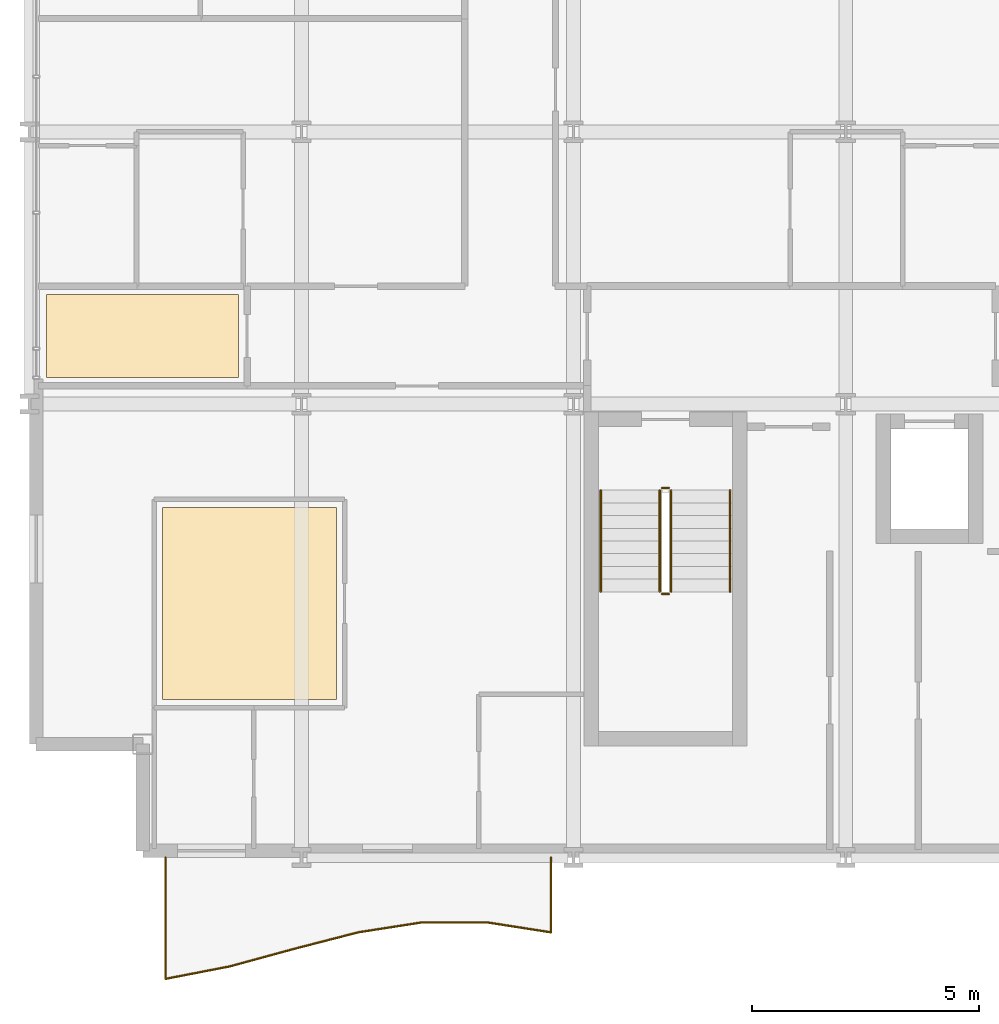
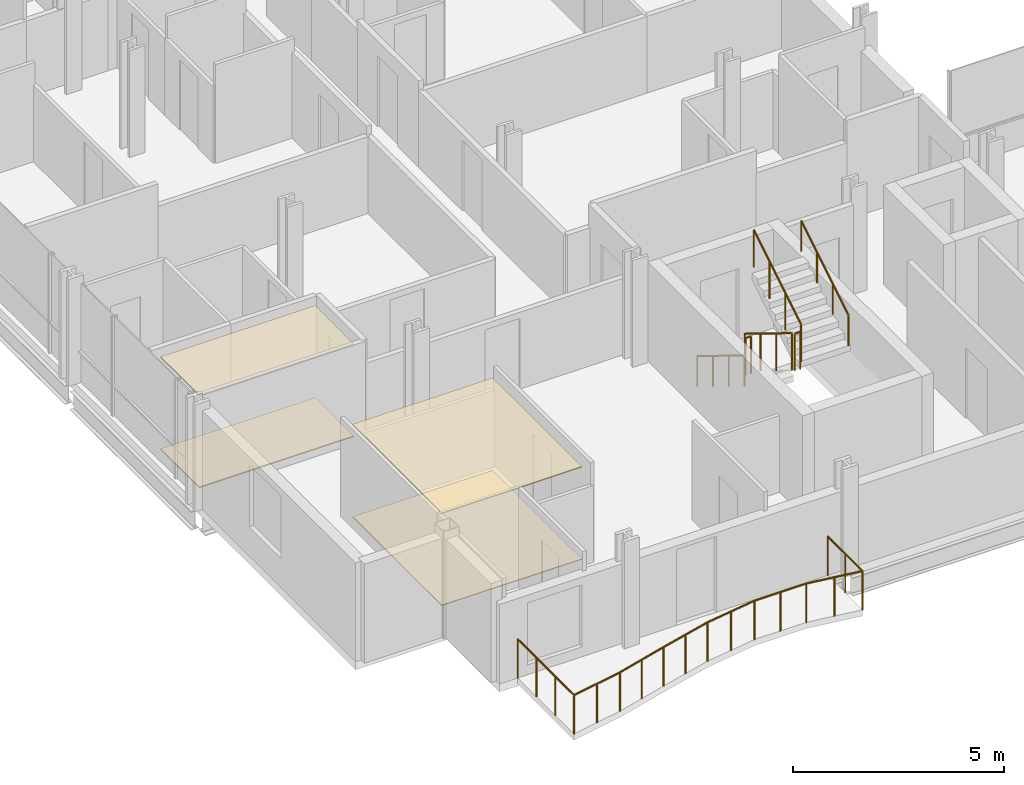
# One storey, part 38 of 41: 7 railings, 4 coverings.
"""IFC4 building model written with IfcOpenShell, lengths in metres."""

import ifcopenshell
import ifcopenshell.guid

model = None  # the IFC model being written
_history = None  # IfcOwnerHistory: only IFC2X3 demands one
_inside = {}  # id of a spatial element -> (the spatial element, [elements in it])
_under = {}  # id of a project, library or spatial element -> (it, [spatial elements below it])
_declared = {}  # id of a project -> (the project, [libraries it declares])
_typed = {}  # id of a type object -> (the type object, [elements of that type])
_made_of = {}  # id of a material, layer set ... -> (it, [elements and type objects made of it])


def new_model(schema):
    """Start an empty IFC model of exactly this schema.

    Asked for "IFC4X3", IfcOpenShell would pick the latest addendum, in which some entities
    have other attributes; the version numbers below select the first issue.
    IFC2X3 requires an IfcOwnerHistory on every rooted entity: one is made here for all.
    """
    global model, _history
    if schema == "IFC4X3":
        model = ifcopenshell.file(schema_version=(4, 3, 0, 0))
    else:
        model = ifcopenshell.file(schema=schema)
    _inside.clear()
    _under.clear()
    _declared.clear()
    _typed.clear()
    _made_of.clear()
    _history = None
    if model.schema == "IFC2X3":
        org = make("IfcOrganization", Name="unknown")
        user = make(
            "IfcPersonAndOrganization",
            ThePerson=make("IfcPerson", FamilyName="unknown"),
            TheOrganization=org,
        )
        app = make(
            "IfcApplication",
            ApplicationDeveloper=org,
            Version="unknown",
            ApplicationFullName="unknown",
            ApplicationIdentifier="unknown",
        )
        _history = make(
            "IfcOwnerHistory",
            OwningUser=user,
            OwningApplication=app,
            ChangeAction="ADDED",
            CreationDate=0,
        )
    return model


def make(cls, **values):
    """One entity of the class cls with the attributes given. An attribute that is None is left unset."""
    return model.create_entity(
        cls, **{name: value for name, value in values.items() if value is not None}
    )


def rooted(cls, **values):
    """An entity with a GlobalId (a new one), such as an element, a storey or a relation."""
    return make(cls, GlobalId=ifcopenshell.guid.new(), OwnerHistory=_history, **values)


def si_unit(unit_type, name, prefix=None):
    """IfcSIUnit, for example si_unit("LENGTHUNIT", "METRE", prefix="MILLI")."""
    return make("IfcSIUnit", UnitType=unit_type, Prefix=prefix, Name=name)


def assignment(units):
    """IfcUnitAssignment: the units of a project."""
    return None if units is None else make("IfcUnitAssignment", Units=units)


def point(xyz):
    """IfcCartesianPoint."""
    return None if xyz is None else make("IfcCartesianPoint", Coordinates=xyz)


def direction(xyz):
    """IfcDirection."""
    return None if xyz is None else make("IfcDirection", DirectionRatios=xyz)


def frame(location, z_axis=None, x_axis=None):
    """IfcAxis2Placement3D, a coordinate frame: its origin and axes. An axis left out is left unset."""
    return make(
        "IfcAxis2Placement3D",
        Location=point(location),
        Axis=direction(z_axis),
        RefDirection=direction(x_axis),
    )


def frame_2d(location, x_axis=None):
    """IfcAxis2Placement2D, a coordinate frame in the plane: its origin and x axis."""
    return make(
        "IfcAxis2Placement2D", Location=point(location), RefDirection=direction(x_axis)
    )


def origin():
    """The frame at (0, 0, 0) with its axes left unset."""
    return frame((0.0, 0.0, 0.0))


def origin_2d():
    """The frame at (0, 0) in the plane with its x axis left unset."""
    return frame_2d((0.0, 0.0))


def place(relative_to, where):
    """IfcLocalPlacement: puts the frame where relative to a parent placement (None: the world)."""
    return make(
        "IfcLocalPlacement", PlacementRelTo=relative_to, RelativePlacement=where
    )


def context(
    kind, dimensions, precision=None, world=None, true_north=None, identifier=None
):
    """IfcGeometricRepresentationContext, for example the 3D "Model" context."""
    return make(
        "IfcGeometricRepresentationContext",
        ContextIdentifier=identifier,
        ContextType=kind,
        CoordinateSpaceDimension=dimensions,
        Precision=precision,
        WorldCoordinateSystem=world,
        TrueNorth=true_north,
    )


def subcontext(parent, identifier, kind, view, scale=None):
    """IfcGeometricRepresentationSubContext, for example "Body" below "Model"."""
    return make(
        "IfcGeometricRepresentationSubContext",
        ContextIdentifier=identifier,
        ContextType=kind,
        ParentContext=parent,
        TargetScale=scale,
        TargetView=view,
    )


def project(units=None, contexts=None):
    """IfcProject with its units and contexts."""
    return rooted(
        "IfcProject",
        Name="project",
        RepresentationContexts=contexts,
        UnitsInContext=assignment(units),
    )


def spatial(cls, under=None, at=None, **own):
    """A site, building, storey or space (cls), placed at a placement, below another one or the project."""
    s = rooted(cls, ObjectPlacement=at, **own)
    if under is not None:
        _under.setdefault(under.id(), (under, []))[1].append(s)
    return s


def polyline(points):
    """IfcPolyline through the points."""
    return make("IfcPolyline", Points=[point(p) for p in points])


def profile(cls, at=None, kind="AREA", **sizes):
    """A parametric profile (cls). Its sizes go by their IFC names, for example OverallWidth=200.0."""
    return make(cls, ProfileType=kind, Position=at, **sizes)


def circle(**sizes):
    """IfcCircleProfileDef."""
    return profile("IfcCircleProfileDef", **sizes)


def outline(outer, holes=None, kind="AREA"):
    """IfcArbitraryClosedProfileDef: a profile drawn as a closed curve; with holes, ...WithVoids."""
    if holes is None:
        return make("IfcArbitraryClosedProfileDef", ProfileType=kind, OuterCurve=outer)
    return make(
        "IfcArbitraryProfileDefWithVoids",
        ProfileType=kind,
        OuterCurve=outer,
        InnerCurves=holes,
    )


def extrude(swept, where, along, depth):
    """IfcExtrudedAreaSolid: the profile swept, set in the frame where, extruded along a direction by depth."""
    return make(
        "IfcExtrudedAreaSolid",
        SweptArea=swept,
        Position=where,
        ExtrudedDirection=direction(along),
        Depth=depth,
    )


def shape(context_of_items, identifier, shape_type, items):
    """IfcShapeRepresentation: the items that make up one representation, for example the "Body"."""
    return make(
        "IfcShapeRepresentation",
        ContextOfItems=context_of_items,
        RepresentationIdentifier=identifier,
        RepresentationType=shape_type,
        Items=items,
    )


def material(Name=None, Category=None):
    """IfcMaterial."""
    return make("IfcMaterial", Name=Name, Category=Category)


def layer(
    of_material, thickness, ventilated=None, Name=None, Category=None, Priority=None
):
    """IfcMaterialLayer: one layer of a wall or slab, of a material (None: an air gap)."""
    return make(
        "IfcMaterialLayer",
        Material=of_material,
        LayerThickness=thickness,
        IsVentilated=ventilated,
        Name=Name,
        Category=Category,
        Priority=Priority,
    )


def layer_set(layers, Name=None):
    """IfcMaterialLayerSet."""
    return make("IfcMaterialLayerSet", MaterialLayers=layers, LayerSetName=Name)


def made_of(thing, what):
    """Note that an element or type object is made of a material, layer set ...; save() writes the relation."""
    if what is not None:
        _made_of.setdefault(what.id(), (what, []))[1].append(thing)
    return thing


def type_object(cls, material=None, **own):
    """A type object (cls), such as IfcWallType, which elements share."""
    return made_of(rooted(cls, **own), material)


def element(
    cls,
    number,
    at=None,
    inside=None,
    cuts=None,
    type_object=None,
    material=None,
    context=None,
    identifier="Body",
    shape_type=None,
    held_by="IfcProductDefinitionShape",
    body=None,
    shapes=None,
    **own,
):
    """One element of the class cls, such as IfcWall. Its Tag is "e" and its number.

    at: its placement. inside: the storey or other place that contains it. cuts: it is an
    opening in that element (IfcRelVoidsElement). A single representation is given by context,
    identifier, shape_type and body (its items); several are given by shapes. held_by: the class
    of the entity that holds the representations. save() writes the other relations.
    """
    e = rooted(cls, Tag="e%d" % number, ObjectPlacement=at, **own)
    if body is not None:
        shapes = [shape(context, identifier, shape_type, body)]
    if shapes is not None:
        e.Representation = make(held_by, Representations=shapes)
    if inside is not None:
        _inside.setdefault(inside.id(), (inside, []))[1].append(e)
    if cuts is not None:
        rooted(
            "IfcRelVoidsElement", RelatingBuildingElement=cuts, RelatedOpeningElement=e
        )
    if type_object is not None:
        _typed.setdefault(type_object.id(), (type_object, []))[1].append(e)
    return made_of(e, material)


def aggregate(whole, parts):
    """IfcRelAggregates: a whole, such as a stair, and the parts it consists of."""
    return rooted("IfcRelAggregates", RelatingObject=whole, RelatedObjects=parts)


def save(model, path):
    """Write the relations noted so far, then the file.

    IfcRelAggregates (storeys below a building ...), IfcRelContainedInSpatialStructure (elements
    in a storey), IfcRelDefinesByType, IfcRelAssociatesMaterial and IfcRelDeclares: one each for
    every whole, place, type object, material and project.
    """
    for whole, parts in _under.values():
        aggregate(whole, parts)
    for where, things in _inside.values():
        rooted(
            "IfcRelContainedInSpatialStructure",
            RelatedElements=things,
            RelatingStructure=where,
        )
    for kind, things in _typed.values():
        rooted("IfcRelDefinesByType", RelatedObjects=things, RelatingType=kind)
    for what, things in _made_of.values():
        rooted("IfcRelAssociatesMaterial", RelatedObjects=things, RelatingMaterial=what)
    for by, libraries in _declared.values():
        rooted("IfcRelDeclares", RelatingContext=by, RelatedDefinitions=libraries)
    model.write(path)


model = new_model("IFC4")

# Units and contexts
model_context = context("Model", 3, precision=1e-05, world=origin(), true_north=direction((0.0, 1.0)))
body_context = subcontext(model_context, "Body", "Model", "MODEL_VIEW")
ifc_project = project(units=[si_unit("LENGTHUNIT", "METRE"), si_unit("AREAUNIT", "SQUARE_METRE"), si_unit("VOLUMEUNIT", "CUBIC_METRE"), si_unit("PLANEANGLEUNIT", "RADIAN"), si_unit("MASSUNIT", "GRAM", prefix="KILO")], contexts=[model_context])

# Site, building, storey
site_placement = place(None, origin())
site = spatial("IfcSite", under=ifc_project, at=site_placement, CompositionType="ELEMENT")
building_placement = place(site_placement, origin())
building = spatial("IfcBuilding", under=site, at=building_placement, Name="Brevholm Reach", CompositionType="ELEMENT")
storey_placement = place(building_placement, frame((0.0, 0.0, 49.699951171875)))
storey = spatial("IfcBuildingStorey", under=building, at=storey_placement, Name="L13", CompositionType="ELEMENT", Elevation=49.699951171875)

# Coverings
ifc_material_1 = material(Name="Moisture-Resistant Skimmed Gypsum Plasterboard Ceiling", Category="gypsum")
ifc_layer_1 = layer(ifc_material_1, 0.030029296875)
ifc_layer_set_1 = layer_set([ifc_layer_1], Name="Moisture-Resistant Skimmed Gypsum Plasterboard Ceiling")
covering_type_1 = type_object("IfcCoveringType", Name="COV-CLG-GYP", PredefinedType="CEILING", material=ifc_layer_set_1)
covering_1_placement = place(storey_placement, frame((0.0, 0.0, 2.670166015625)))
element("IfcCovering", 1, at=covering_1_placement, inside=storey, type_object=covering_type_1, Name="L13 Suspended Ceiling L13-27", PredefinedType="CEILING", context=body_context, shape_type="SweptSolid", body=[
    extrude(outline(polyline([(2.929931640625, 7.719970703125), (6.77001953125, 7.719970703125), (6.77001953125, 3.47998046875), (4.984375, 3.47998046875), (4.982177734375, 3.48046875), (4.964599609375, 3.483154296875), (4.947021484375, 3.48388671875), (2.929931640625, 3.48388671875), (2.929931640625, 7.719970703125)])), origin(), (0.0, 0.0, 1.0), 0.02978515625),
])
covering_2_placement = place(storey_placement, frame((0.0, 0.0, 2.670166015625)))
element("IfcCovering", 2, at=covering_2_placement, inside=storey, type_object=covering_type_1, Name="L13 Suspended Ceiling L13-29", PredefinedType="CEILING", context=body_context, shape_type="SweptSolid", body=[
    extrude(outline(polyline([(0.3798828125, 12.419921875), (4.615966796875, 12.419921875), (4.615966796875, 10.583984375), (0.3798828125, 10.583984375), (0.3798828125, 12.419921875)])), origin(), (0.0, 0.0, 1.0), 0.02978515625),
])
ifc_material_2 = material(Name="Engineered European Oak Acoustic Plank Flooring", Category="timber")
ifc_layer_2 = layer(ifc_material_2, 0.02197265625)
ifc_layer_set_2 = layer_set([ifc_layer_2], Name="Engineered European Oak Acoustic Plank Flooring")
covering_type_2 = type_object("IfcCoveringType", Name="COV-FLR-OAK", PredefinedType="FLOORING", material=ifc_layer_set_2)
covering_3_placement = place(storey_placement, origin())
element("IfcCovering", 3, at=covering_3_placement, inside=storey, type_object=covering_type_2, Name="L13 Floor Finish L13-27", PredefinedType="FLOORING", context=body_context, shape_type="SweptSolid", body=[
    extrude(outline(polyline([(2.929931640625, 7.719970703125), (6.77001953125, 7.719970703125), (6.77001953125, 3.47998046875), (4.984375, 3.47998046875), (4.982177734375, 3.48046875), (4.964599609375, 3.483154296875), (4.947021484375, 3.48388671875), (2.929931640625, 3.48388671875), (2.929931640625, 7.719970703125)])), origin(), (0.0, 0.0, 1.0), 0.02197265625),
])
ifc_material_3 = material(Name="Honed Portland-Aggregate Resin Terrazzo Flooring", Category="concrete")
ifc_layer_3 = layer(ifc_material_3, 0.031982421875)
ifc_layer_set_3 = layer_set([ifc_layer_3], Name="Honed Portland-Aggregate Resin Terrazzo Flooring")
covering_type_3 = type_object("IfcCoveringType", Name="COV-FLR-TRZ", PredefinedType="FLOORING", material=ifc_layer_set_3)
covering_4_placement = place(storey_placement, origin())
element("IfcCovering", 4, at=covering_4_placement, inside=storey, type_object=covering_type_3, Name="L13 Floor Finish L13-29", PredefinedType="FLOORING", context=body_context, shape_type="SweptSolid", body=[
    extrude(outline(polyline([(0.3798828125, 12.419921875), (4.615966796875, 12.419921875), (4.615966796875, 10.583984375), (0.3798828125, 10.583984375), (0.3798828125, 12.419921875)])), origin(), (0.0, 0.0, 1.0), 0.031982421875),
])

# Railings
ifc_material_4 = material(Name="Brushed Stainless Steel EN 1.4401 and Laminated Glass", Category="steel")
railing_type_1 = type_object("IfcRailingType", Name="RAL-BALC-1150", PredefinedType="BALUSTRADE", material=ifc_material_4)
railing_1_placement = place(storey_placement, frame((3.0, 0.0, 0.0)))
element("IfcRailing", 5, at=railing_1_placement, inside=storey, type_object=railing_type_1, Name="L13 Guard Balustrade RAL-L13-BAL-SW", PredefinedType="BALUSTRADE", context=body_context, shape_type="SweptSolid", body=[
    extrude(circle(Radius=0.02392578125, at=origin_2d()), frame((0.0, 0.0, 1.1259765625), z_axis=(0.0, -1.0, 0.0), x_axis=(1.0, 0.0, 0.0)), (0.0, 0.0, 1.0), 2.676513671875),
    extrude(circle(Radius=0.02392578125, at=origin_2d()), frame((0.0, -2.676513671875, 1.1259765625), z_axis=(0.98175336952, 0.190158674365, 0.0), x_axis=(-0.190158674365, 0.98175336952, 0.0)), (0.0, 0.0, 1.0), 1.443115234375),
    extrude(circle(Radius=0.02392578125, at=origin_2d()), frame((1.416748046875, -2.402099609375, 1.1259765625), z_axis=(0.964821360478, 0.262906337628, 0.0), x_axis=(-0.262906337628, 0.964821360478, 0.0)), (0.0, 0.0, 1.0), 1.46826171875),
    extrude(circle(Radius=0.02392578125, at=origin_2d()), frame((2.833251953125, -2.01611328125, 1.1259765625), z_axis=(0.968218696825, 0.250105088151, 0.0), x_axis=(-0.250105088151, 0.968218696825, 0.0)), (0.0, 0.0, 1.0), 1.463134765625),
    extrude(circle(Radius=0.02392578125, at=origin_2d()), frame((4.25, -1.650146484375, 1.1259765625), z_axis=(0.988082538492, 0.153924972393, 0.0), x_axis=(-0.153924972393, 0.988082538492, 0.0)), (0.0, 0.0, 1.0), 1.433837890625),
    extrude(circle(Radius=0.02392578125, at=origin_2d()), frame((5.666748046875, -1.429443359375, 1.1259765625), z_axis=(1.0, 0.0, 0.0), x_axis=(0.0, 1.0, 0.0)), (0.0, 0.0, 1.0), 1.41650390625),
    extrude(circle(Radius=0.02392578125, at=origin_2d()), frame((7.083251953125, -1.429443359375, 1.1259765625), z_axis=(0.988082538492, -0.153924972393, 0.0), x_axis=(0.153924972393, 0.988082538492, 0.0)), (0.0, 0.0, 1.0), 1.433837890625),
    extrude(circle(Radius=0.02392578125, at=origin_2d()), frame((8.5, -1.650146484375, 1.1259765625), z_axis=(0.0, 1.0, 0.0), x_axis=(-1.0, 0.0, 0.0)), (0.0, 0.0, 1.0), 1.650146484375),
    extrude(circle(Radius=0.02099609375, at=origin_2d()), origin(), (0.0, 0.0, 1.0), 1.101806640625),
    extrude(circle(Radius=0.02099609375, at=origin_2d()), frame((0.0, -0.89208984375, 0.0)), (0.0, 0.0, 1.0), 1.101806640625),
    extrude(circle(Radius=0.02099609375, at=origin_2d()), frame((0.0, -1.784423828125, 0.0)), (0.0, 0.0, 1.0), 1.101806640625),
    extrude(circle(Radius=0.02099609375, at=origin_2d()), frame((0.0, -2.676513671875, 0.0)), (0.0, 0.0, 1.0), 1.101806640625),
    extrude(circle(Radius=0.02099609375, at=origin_2d()), frame((0.70849609375, -2.539306640625, 0.0)), (0.0, 0.0, 1.0), 1.101806640625),
    extrude(circle(Radius=0.02099609375, at=origin_2d()), frame((1.416748046875, -2.402099609375, 0.0)), (0.0, 0.0, 1.0), 1.101806640625),
    extrude(circle(Radius=0.02099609375, at=origin_2d()), frame((2.125, -2.208984375, 0.0)), (0.0, 0.0, 1.0), 1.101806640625),
    extrude(circle(Radius=0.02099609375, at=origin_2d()), frame((2.833251953125, -2.01611328125, 0.0)), (0.0, 0.0, 1.0), 1.101806640625),
    extrude(circle(Radius=0.02099609375, at=origin_2d()), frame((3.54150390625, -1.8330078125, 0.0)), (0.0, 0.0, 1.0), 1.101806640625),
    extrude(circle(Radius=0.02099609375, at=origin_2d()), frame((4.25, -1.650146484375, 0.0)), (0.0, 0.0, 1.0), 1.101806640625),
    extrude(circle(Radius=0.02099609375, at=origin_2d()), frame((4.95849609375, -1.539794921875, 0.0)), (0.0, 0.0, 1.0), 1.101806640625),
    extrude(circle(Radius=0.02099609375, at=origin_2d()), frame((5.666748046875, -1.429443359375, 0.0)), (0.0, 0.0, 1.0), 1.101806640625),
    extrude(circle(Radius=0.02099609375, at=origin_2d()), frame((6.375, -1.429443359375, 0.0)), (0.0, 0.0, 1.0), 1.101806640625),
    extrude(circle(Radius=0.02099609375, at=origin_2d()), frame((7.083251953125, -1.429443359375, 0.0)), (0.0, 0.0, 1.0), 1.101806640625),
    extrude(circle(Radius=0.02099609375, at=origin_2d()), frame((7.79150390625, -1.539794921875, 0.0)), (0.0, 0.0, 1.0), 1.101806640625),
    extrude(circle(Radius=0.02099609375, at=origin_2d()), frame((8.5, -1.650146484375, 0.0)), (0.0, 0.0, 1.0), 1.101806640625),
    extrude(circle(Radius=0.02099609375, at=origin_2d()), frame((8.5, -0.8251953125, 0.0)), (0.0, 0.0, 1.0), 1.101806640625),
    extrude(circle(Radius=0.02099609375, at=origin_2d()), frame((8.5, 0.0, 0.0)), (0.0, 0.0, 1.0), 1.101806640625),
])
ifc_material_5 = material(Name="Brushed Stainless Steel EN 1.4401 Continuous Handrail", Category="steel")
railing_type_2 = type_object("IfcRailingType", Name="RAL-HND-950", PredefinedType="HANDRAIL", material=ifc_material_5)
railing_2_placement = place(storey_placement, frame((12.60009765625, 8.10009765625, 0.17236328125)))
element("IfcRailing", 6, at=railing_2_placement, inside=storey, type_object=railing_type_2, Name="L13 ST-1 stair handrail 1", PredefinedType="HANDRAIL", context=body_context, shape_type="SweptSolid", body=[
    extrude(circle(Radius=0.02392578125, at=origin_2d()), frame((0.0, 0.0, 0.8857421875), z_axis=(0.0, -0.85178898068, 0.523885037382), x_axis=(1.0, 0.0, 0.0)), (0.0, 0.0, 1.0), 2.629638671875),
    extrude(circle(Radius=0.02099609375, at=origin_2d()), origin(), (0.0, 0.0, 1.0), 0.86181640625),
    extrude(circle(Radius=0.02099609375, at=origin_2d()), frame((0.0, -0.74658203125, 0.459228515625)), (0.0, 0.0, 1.0), 0.86181640625),
    extrude(circle(Radius=0.02099609375, at=origin_2d()), frame((0.0, -1.493408203125, 0.91845703125)), (0.0, 0.0, 1.0), 0.86181640625),
    extrude(circle(Radius=0.02099609375, at=origin_2d()), frame((0.0, -2.239990234375, 1.377685546875)), (0.0, 0.0, 1.0), 0.86181640625),
])
railing_3_placement = place(storey_placement, frame((15.449951171875, 5.860107421875, 1.72216796875)))
element("IfcRailing", 7, at=railing_3_placement, inside=storey, type_object=railing_type_2, Name="L13 ST-1 stair handrail 2", PredefinedType="HANDRAIL", context=body_context, shape_type="SweptSolid", body=[
    extrude(circle(Radius=0.02392578125, at=origin_2d()), frame((0.0, 0.0, 0.8857421875), z_axis=(0.0, 0.851747552033, 0.523952390591), x_axis=(-1.0, 0.0, 0.0)), (0.0, 0.0, 1.0), 2.6298828125),
    extrude(circle(Radius=0.02099609375, at=origin_2d()), origin(), (0.0, 0.0, 1.0), 0.86181640625),
    extrude(circle(Radius=0.02099609375, at=origin_2d()), frame((0.0, 0.74658203125, 0.459228515625)), (0.0, 0.0, 1.0), 0.86181640625),
    extrude(circle(Radius=0.02099609375, at=origin_2d()), frame((0.0, 1.493408203125, 0.918701171875)), (0.0, 0.0, 1.0), 0.86181640625),
    extrude(circle(Radius=0.02099609375, at=origin_2d()), frame((0.0, 2.239990234375, 1.3779296875)), (0.0, 0.0, 1.0), 0.86181640625),
])
ifc_material_6 = material(Name="Painted Tubular Galvanised Steel S275JR Stair Guard", Category="steel")
railing_type_3 = type_object("IfcRailingType", Name="RAL-STG-1120", PredefinedType="BALUSTRADE", material=ifc_material_6)
railing_4_placement = place(storey_placement, frame((13.89990234375, 8.10009765625, 0.17236328125)))
element("IfcRailing", 8, at=railing_4_placement, inside=storey, type_object=railing_type_3, Name="L13 ST-1 stair guard 1", PredefinedType="BALUSTRADE", context=body_context, shape_type="SweptSolid", body=[
    extrude(circle(Radius=0.02392578125, at=origin_2d()), frame((0.0, 0.0, 1.076171875), z_axis=(0.0, -0.85178898068, 0.523885037382), x_axis=(1.0, 0.0, 0.0)), (0.0, 0.0, 1.0), 2.629638671875),
    extrude(circle(Radius=0.02099609375, at=origin_2d()), origin(), (0.0, 0.0, 1.0), 1.052001953125),
    extrude(circle(Radius=0.02099609375, at=origin_2d()), frame((0.0, -0.74658203125, 0.459228515625)), (0.0, 0.0, 1.0), 1.052001953125),
    extrude(circle(Radius=0.02099609375, at=origin_2d()), frame((0.0, -1.493408203125, 0.91845703125)), (0.0, 0.0, 1.0), 1.052001953125),
    extrude(circle(Radius=0.02099609375, at=origin_2d()), frame((0.0, -2.239990234375, 1.377685546875)), (0.0, 0.0, 1.0), 1.052001953125),
])
railing_5_placement = place(storey_placement, frame((13.949951171875, 5.81005859375, 1.550048828125)))
element("IfcRailing", 9, at=railing_5_placement, inside=storey, type_object=railing_type_3, Name="L13 ST-1 stair guard 2", PredefinedType="BALUSTRADE", context=body_context, shape_type="SweptSolid", body=[
    extrude(circle(Radius=0.02392578125, at=origin_2d()), frame((0.0, 0.0, 1.076171875), z_axis=(1.0, 0.0, 0.0), x_axis=(0.0, 1.0, 0.0)), (0.0, 0.0, 1.0), 0.150146484375),
    extrude(circle(Radius=0.02099609375, at=origin_2d()), origin(), (0.0, 0.0, 1.0), 1.052001953125),
    extrude(circle(Radius=0.02099609375, at=origin_2d()), frame((0.150146484375, 0.0, 0.0)), (0.0, 0.0, 1.0), 1.052001953125),
])
railing_6_placement = place(storey_placement, frame((14.14990234375, 5.860107421875, 1.72216796875)))
element("IfcRailing", 10, at=railing_6_placement, inside=storey, type_object=railing_type_3, Name="L13 ST-1 stair guard 3", PredefinedType="BALUSTRADE", context=body_context, shape_type="SweptSolid", body=[
    extrude(circle(Radius=0.02392578125, at=origin_2d()), frame((0.0, 0.0, 1.076171875), z_axis=(0.0, 0.851747552033, 0.523952390591), x_axis=(-1.0, 0.0, 0.0)), (0.0, 0.0, 1.0), 2.6298828125),
    extrude(circle(Radius=0.02099609375, at=origin_2d()), origin(), (0.0, 0.0, 1.0), 1.052001953125),
    extrude(circle(Radius=0.02099609375, at=origin_2d()), frame((0.0, 0.74658203125, 0.459228515625)), (0.0, 0.0, 1.0), 1.052001953125),
    extrude(circle(Radius=0.02099609375, at=origin_2d()), frame((0.0, 1.493408203125, 0.918701171875)), (0.0, 0.0, 1.0), 1.052001953125),
    extrude(circle(Radius=0.02099609375, at=origin_2d()), frame((0.0, 2.239990234375, 1.3779296875)), (0.0, 0.0, 1.0), 1.052001953125),
])
railing_7_placement = place(storey_placement, frame((13.949951171875, 8.14990234375, 0.0)))
element("IfcRailing", 11, at=railing_7_placement, inside=storey, type_object=railing_type_3, Name="L13 ST-1 stair guard 4", PredefinedType="BALUSTRADE", context=body_context, shape_type="SweptSolid", body=[
    extrude(circle(Radius=0.02392578125, at=origin_2d()), frame((0.0, 0.0, 1.076171875), z_axis=(1.0, 0.0, 0.0), x_axis=(0.0, 1.0, 0.0)), (0.0, 0.0, 1.0), 0.150146484375),
    extrude(circle(Radius=0.02099609375, at=origin_2d()), origin(), (0.0, 0.0, 1.0), 1.052001953125),
    extrude(circle(Radius=0.02099609375, at=origin_2d()), frame((0.150146484375, 0.0, 0.0)), (0.0, 0.0, 1.0), 1.052001953125),
])

save(model, "model.ifc")
